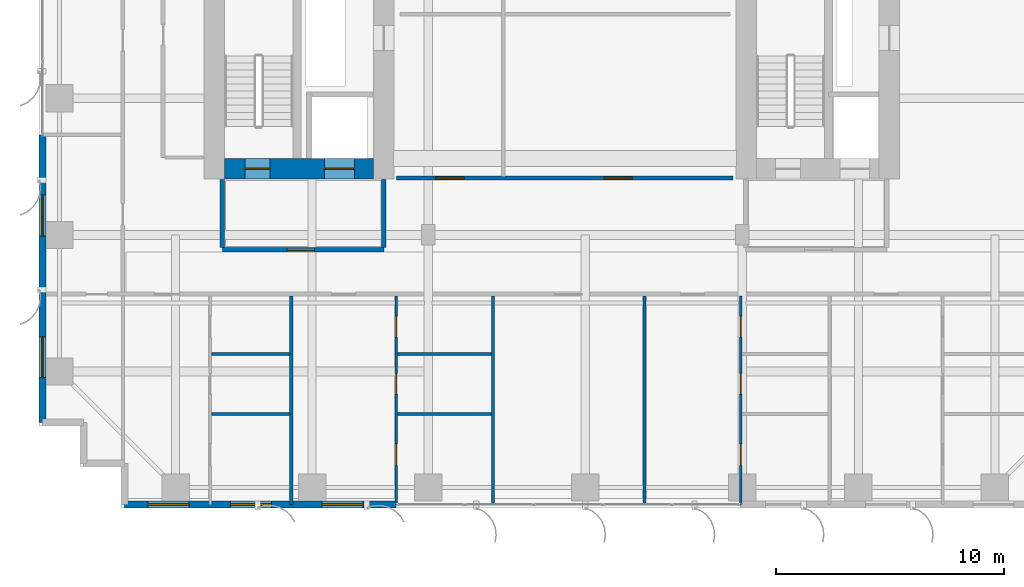
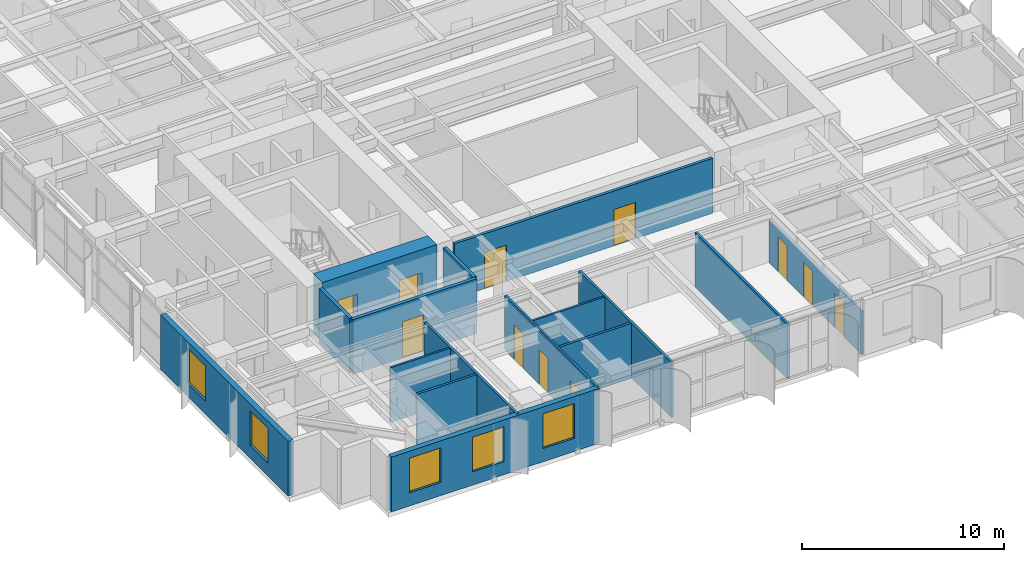
# One storey, part 15 of 23: 16 walls, 11 doors, 5 windows, 16 openings.
"""IFC4 building model written with IfcOpenShell, lengths in metres."""

from ifc_helpers import new_model, si_unit, direction, frame, frame_2d, origin, place, context, subcontext, project, spatial, rectangle, extrude, source, transform, mapped, material, layer, layer_set, type_object, element, fill, save


model = new_model("IFC4")

# Units and contexts
model_context = context("Model", 3, precision=1e-05, world=origin(), true_north=direction((0.0, 1.0)))
body_context = subcontext(model_context, "Body", "Model", "MODEL_VIEW")
ifc_project = project(units=[si_unit("LENGTHUNIT", "METRE"), si_unit("AREAUNIT", "SQUARE_METRE"), si_unit("VOLUMEUNIT", "CUBIC_METRE"), si_unit("PLANEANGLEUNIT", "RADIAN"), si_unit("MASSUNIT", "GRAM", prefix="KILO")], contexts=[model_context])

# Site, building, storey
site_placement = place(None, origin())
site = spatial("IfcSite", under=ifc_project, at=site_placement, CompositionType="ELEMENT")
building_placement = place(site_placement, origin())
building = spatial("IfcBuilding", under=site, at=building_placement, Name="Khoralis Quay Care Tower", CompositionType="ELEMENT")
storey_placement = place(building_placement, frame((0.0, 0.0, 36.89990234375)))
storey = spatial("IfcBuildingStorey", under=building, at=storey_placement, Name="L09", CompositionType="ELEMENT", Elevation=36.89990234375)

# Wall, opening, door
ifc_material_1 = material(Name="Gypsum plasterboard on acoustic metal stud")
ifc_layer_1 = layer(ifc_material_1, 0.199951171875)
ifc_layer_set_1 = layer_set([ifc_layer_1], Name="Gypsum plasterboard on acoustic metal stud")
wall_type_1 = type_object("IfcWallType", Name="WL-COMP-200", PredefinedType="PARTITIONING", material=ifc_layer_set_1)
wall_1_placement = place(storey_placement, frame((8.050048828125, 11.35009765625, 0.0), z_axis=(0.0, 0.0, 1.0), x_axis=(1.0, 0.0, 0.0)))
wall_1 = element("IfcWall", 1, at=wall_1_placement, inside=storey, type_object=wall_type_1, Name="L09 West Firefighting Lobby South Wall", PredefinedType="PARTITIONING", context=body_context, shape_type="SweptSolid", body=[
    extrude(rectangle(XDim=7.099853515625, YDim=0.199951171875, at=frame_2d((3.5498046875, 0.0))), origin(), (0.0, 0.0, 1.0), 3.320068359375),
])
opening_1_placement = place(wall_1_placement, frame((2.846435546875, 0.0, 0.0)))
opening_1 = element("IfcOpeningElement", 2, at=opening_1_placement, cuts=wall_1, Name="Opening FD1", PredefinedType="OPENING", context=body_context, shape_type="SweptSolid", body=[
    extrude(rectangle(XDim=1.199951171875, YDim=2.199951171875, at=frame_2d((0.60009765625, 1.10009765625))), frame((0.0, 0.10986328125, 0.0), z_axis=(0.0, -1.0, 0.0), x_axis=(1.0, 0.0, 0.0)), (0.0, 0.0, 1.0), 0.219970703125),
])
ifc_material_2 = material(Name="Fire-rated painted steel", Category="steel")
door_type_1 = type_object("IfcDoorType", Name="DR-FFL-1200X2200", OperationType="NOTDEFINED", PredefinedType="DOOR", material=ifc_material_2)
shared_shape_1 = source(origin(), body_context, "Body", "SweptSolid", [
    extrude(rectangle(XDim=1.199951171875, YDim=2.199951171875, at=frame_2d((0.60009765625, 1.10009765625))), frame((0.0, 0.02490234375, 0.0), z_axis=(0.0, -1.0, 0.0), x_axis=(1.0, 0.0, 0.0)), (0.0, 0.0, 1.0), 0.050048828125),
])
door_1_placement = place(opening_1_placement, origin())
door_1 = element("IfcDoor", 3, at=door_1_placement, inside=storey, type_object=door_type_1, Name="L09 West Firefighting Lobby Fire Door", OperationType="SINGLE_SWING_LEFT", OverallHeight=2.199951171875, OverallWidth=1.199951171875, PredefinedType="DOOR", context=body_context, shape_type="MappedRepresentation", body=[
    mapped(shared_shape_1, transform((0.0, 0.0, 0.0), scale=1.0)),
])
fill(opening_1, door_1)

# Walls
for number, where, z_axis, x_axis, name in (
    (4, (8.050048828125, 11.445068359375, 0.0), (0.0, 0.0, 1.0), (0.0, 1.0, 0.0), "L09 West Firefighting Lobby West Wall"),
    (5, (15.14990234375, 11.445068359375, 0.0), (0.0, 0.0, 1.0), (0.0, 1.0, 0.0), "L09 West Firefighting Lobby East Wall"),
):
    element("IfcWall", number, at=place(storey_placement, frame(where, z_axis=z_axis, x_axis=x_axis)), inside=storey, type_object=wall_type_1, Name=name, PredefinedType="PARTITIONING", context=body_context, shape_type="SweptSolid", body=[
        extrude(rectangle(XDim=2.98486328125, YDim=0.199951171875, at=frame_2d((1.492431640625, 0.0))), origin(), (0.0, 0.0, 1.0), 3.320068359375),
    ])

# Wall, openings, doors
ifc_material_3 = material(Name="Concrete C80/95", Category="concrete")
ifc_layer_2 = layer(ifc_material_3, 0.89990234375)
ifc_layer_set_2 = layer_set([ifc_layer_2], Name="Concrete C80/95")
wall_type_2 = type_object("IfcWallType", Name="WL-CORE-900", PredefinedType="SHEAR", material=ifc_layer_set_2)
wall_2_placement = place(storey_placement, frame((8.14990234375, 14.89990234375, 0.0), z_axis=(0.0, 0.0, 1.0), x_axis=(1.0, 0.0, 0.0)))
wall_2 = element("IfcWall", 6, at=wall_2_placement, inside=storey, type_object=wall_type_2, Name="L09 WCORE South Shear Wall", PredefinedType="SHEAR", context=body_context, shape_type="SweptSolid", body=[
    extrude(rectangle(XDim=6.550048828125, YDim=0.89990234375, at=frame_2d((3.27490234375, 0.0))), origin(), (0.0, 0.0, 1.0), 3.60009765625),
])
opening_2_placement = place(wall_2_placement, frame((0.89990234375, 0.0, 0.0)))
opening_2 = element("IfcOpeningElement", 7, at=opening_2_placement, cuts=wall_2, Name="Opening SD1", PredefinedType="OPENING", context=body_context, shape_type="SweptSolid", body=[
    extrude(rectangle(XDim=1.10009765625, YDim=2.199951171875, at=frame_2d((0.550048828125, 1.10009765625))), frame((0.0, 0.4599609375, 0.0), z_axis=(0.0, -1.0, 0.0), x_axis=(1.0, 0.0, 0.0)), (0.0, 0.0, 1.0), 0.919921875),
])
opening_3_placement = place(wall_2_placement, frame((4.39990234375, 0.0, 0.0)))
opening_3 = element("IfcOpeningElement", 8, at=opening_3_placement, cuts=wall_2, Name="Opening LD2", PredefinedType="OPENING", context=body_context, shape_type="SweptSolid", body=[
    extrude(rectangle(XDim=1.300048828125, YDim=2.199951171875, at=frame_2d((0.64990234375, 1.10009765625))), frame((0.0, 0.4599609375, 0.0), z_axis=(0.0, -1.0, 0.0), x_axis=(1.0, 0.0, 0.0)), (0.0, 0.0, 1.0), 0.919921875),
])
door_type_2 = type_object("IfcDoorType", Name="DR-STAIR-1100X2200", OperationType="NOTDEFINED", PredefinedType="DOOR", material=ifc_material_2)
shared_shape_2 = source(origin(), body_context, "Body", "SweptSolid", [
    extrude(rectangle(XDim=1.10009765625, YDim=2.199951171875, at=frame_2d((0.550048828125, 1.10009765625))), frame((0.0, 0.02490234375, 0.0), z_axis=(0.0, -1.0, 0.0), x_axis=(1.0, 0.0, 0.0)), (0.0, 0.0, 1.0), 0.050048828125),
])
door_2_placement = place(opening_2_placement, origin())
door_2 = element("IfcDoor", 9, at=door_2_placement, inside=storey, type_object=door_type_2, Name="L09 Stair ST-T1 Fire Door", OperationType="SINGLE_SWING_LEFT", OverallHeight=2.199951171875, OverallWidth=1.10009765625, PredefinedType="DOOR", context=body_context, shape_type="MappedRepresentation", body=[
    mapped(shared_shape_2, transform((0.0, 0.0, 0.0), scale=1.0)),
])
fill(opening_2, door_2)
ifc_material_4 = material(Name="Brushed stainless steel", Category="steel")
door_type_3 = type_object("IfcDoorType", Name="DR-LIFT-1300X2200", OperationType="SLIDING_TO_RIGHT", PredefinedType="DOOR", material=ifc_material_4)
shared_shape_3 = source(origin(), body_context, "Body", "SweptSolid", [
    extrude(rectangle(XDim=1.300048828125, YDim=2.199951171875, at=frame_2d((0.64990234375, 1.10009765625))), frame((0.0, 0.02490234375, 0.0), z_axis=(0.0, -1.0, 0.0), x_axis=(1.0, 0.0, 0.0)), (0.0, 0.0, 1.0), 0.050048828125),
])
door_3_placement = place(opening_3_placement, origin())
door_3 = element("IfcDoor", 10, at=door_3_placement, inside=storey, type_object=door_type_3, Name="L09 Firefighting Lift FFL-1 Landing Door", OperationType="SLIDING_TO_RIGHT", OverallHeight=2.199951171875, OverallWidth=1.300048828125, PredefinedType="DOOR", context=body_context, shape_type="MappedRepresentation", body=[
    mapped(shared_shape_3, transform((0.0, 0.0, 0.0), scale=1.0)),
])
fill(opening_3, door_3)

ifc_layer_3 = layer(ifc_material_1, 0.1650390625)
ifc_layer_set_3 = layer_set([ifc_layer_3], Name="Gypsum plasterboard on acoustic metal stud")
wall_type_3 = type_object("IfcWallType", Name="WL-CORR-165", PredefinedType="PARTITIONING", material=ifc_layer_set_3)
wall_3_placement = place(storey_placement, frame((15.699951171875, 14.5, 0.0), z_axis=(0.0, 0.0, 1.0), x_axis=(1.0, 0.0, 0.0)))
wall_3 = element("IfcWall", 11, at=wall_3_placement, inside=storey, type_object=wall_type_3, Name="L09 Central Clinical South Wall", PredefinedType="PARTITIONING", context=body_context, shape_type="SweptSolid", body=[
    extrude(rectangle(XDim=14.800048828125, YDim=0.1650390625, at=frame_2d((7.39990234375, 0.0))), origin(), (0.0, 0.0, 1.0), 3.320068359375),
])
opening_4_placement = place(wall_3_placement, frame((1.72509765625, 0.0, 0.0)))
opening_4 = element("IfcOpeningElement", 12, at=opening_4_placement, cuts=wall_3, Name="Opening CD1", PredefinedType="OPENING", context=body_context, shape_type="SweptSolid", body=[
    extrude(rectangle(XDim=1.25, YDim=2.199951171875, at=frame_2d((0.625, 1.10009765625))), frame((0.0, 0.092529296875, 0.0), z_axis=(0.0, -1.0, 0.0), x_axis=(1.0, 0.0, 0.0)), (0.0, 0.0, 1.0), 0.18505859375),
])
opening_5_placement = place(wall_3_placement, frame((9.125, 0.0, 0.0)))
opening_5 = element("IfcOpeningElement", 13, at=opening_5_placement, cuts=wall_3, Name="Opening CD1", PredefinedType="OPENING", context=body_context, shape_type="SweptSolid", body=[
    extrude(rectangle(XDim=1.25, YDim=2.199951171875, at=frame_2d((0.625, 1.10009765625))), frame((0.0, 0.092529296875, 0.0), z_axis=(0.0, -1.0, 0.0), x_axis=(1.0, 0.0, 0.0)), (0.0, 0.0, 1.0), 0.18505859375),
])
ifc_material_5 = material(Name="Acoustic hardwood timber", Category="wood")
door_type_4 = type_object("IfcDoorType", Name="DR-CARE-1250X2200", OperationType="NOTDEFINED", PredefinedType="DOOR", material=ifc_material_5)
shared_shape_4 = source(origin(), body_context, "Body", "SweptSolid", [
    extrude(rectangle(XDim=1.25, YDim=2.199951171875, at=frame_2d((0.625, 1.10009765625))), frame((0.0, 0.02490234375, 0.0), z_axis=(0.0, -1.0, 0.0), x_axis=(1.0, 0.0, 0.0)), (0.0, 0.0, 1.0), 0.050048828125),
])
door_4_placement = place(opening_4_placement, origin())
door_4 = element("IfcDoor", 14, at=door_4_placement, inside=storey, type_object=door_type_4, Name="L09 Nurse Station Door", OperationType="SINGLE_SWING_LEFT", OverallHeight=2.199951171875, OverallWidth=1.25, PredefinedType="DOOR", context=body_context, shape_type="MappedRepresentation", body=[
    mapped(shared_shape_4, transform((0.0, 0.0, 0.0), scale=1.0)),
])
fill(opening_4, door_4)
door_5_placement = place(opening_5_placement, origin())
door_5 = element("IfcDoor", 15, at=door_5_placement, inside=storey, type_object=door_type_4, Name="L09 Treatment Clinic Door", OperationType="SINGLE_SWING_RIGHT", OverallHeight=2.199951171875, OverallWidth=1.25, PredefinedType="DOOR", context=body_context, shape_type="MappedRepresentation", body=[
    mapped(shared_shape_4, transform((0.0, 0.0, 0.0), scale=1.0)),
])
fill(opening_5, door_5)

# Wall, openings, windows
ifc_material_6 = material(Name="Precast concrete C45/55", Category="concrete")
ifc_layer_4 = layer(ifc_material_6, 0.300048828125)
ifc_layer_set_4 = layer_set([ifc_layer_4], Name="Precast concrete C45/55")
wall_type_4 = type_object("IfcWallType", Name="WL-EXT-REF-300", PredefinedType="SOLIDWALL", material=ifc_layer_set_4)
wall_4_placement = place(storey_placement, frame((3.75, 0.14990234375, 0.0), z_axis=(0.0, 0.0, 1.0), x_axis=(1.0, 0.0, 0.0)))
wall_4 = element("IfcWall", 16, at=wall_4_placement, inside=storey, type_object=wall_type_4, Name="L09 External Facade Wall WL-EXT-L09-P1-E0A", PredefinedType="SOLIDWALL", context=body_context, shape_type="SweptSolid", body=[
    extrude(rectangle(XDim=11.93701171875, YDim=0.300048828125, at=frame_2d((5.968505859375, 0.0))), origin(), (0.0, 0.0, 1.0), 3.320068359375),
])
opening_6_placement = place(wall_4_placement, frame((1.0390625, 0.0, 0.800048828125)))
opening_6 = element("IfcOpeningElement", 17, at=opening_6_placement, cuts=wall_4, Name="Opening W2", PredefinedType="OPENING", context=body_context, shape_type="SweptSolid", body=[
    extrude(rectangle(XDim=1.800048828125, YDim=2.10009765625, at=frame_2d((0.89990234375, 1.050048828125))), frame((0.0, 0.16015625, 0.0), z_axis=(0.0, -1.0, 0.0), x_axis=(1.0, 0.0, 0.0)), (0.0, 0.0, 1.0), 0.320068359375),
])
opening_7_placement = place(wall_4_placement, frame((4.654052734375, 0.0, 0.800048828125)))
opening_7 = element("IfcOpeningElement", 18, at=opening_7_placement, cuts=wall_4, Name="Opening W2", PredefinedType="OPENING", context=body_context, shape_type="SweptSolid", body=[
    extrude(rectangle(XDim=1.800048828125, YDim=2.10009765625, at=frame_2d((0.89990234375, 1.050048828125))), frame((0.0, 0.16015625, 0.0), z_axis=(0.0, -1.0, 0.0), x_axis=(1.0, 0.0, 0.0)), (0.0, 0.0, 1.0), 0.320068359375),
])
opening_8_placement = place(wall_4_placement, frame((8.68359375, 0.0, 0.800048828125)))
opening_8 = element("IfcOpeningElement", 19, at=opening_8_placement, cuts=wall_4, Name="Opening W2", PredefinedType="OPENING", context=body_context, shape_type="SweptSolid", body=[
    extrude(rectangle(XDim=1.800048828125, YDim=2.10009765625, at=frame_2d((0.89990234375, 1.050048828125))), frame((0.0, 0.16015625, 0.0), z_axis=(0.0, -1.0, 0.0), x_axis=(1.0, 0.0, 0.0)), (0.0, 0.0, 1.0), 0.320068359375),
])
ifc_material_7 = material(Name="Low-E solar-control double glazing", Category="glass")
window_type = type_object("IfcWindowType", Name="WN-POD-1800X2100", PartitioningType="SINGLE_PANEL", PredefinedType="WINDOW", material=ifc_material_7)
shared_shape_5 = source(origin(), body_context, "Body", "SweptSolid", [
    extrude(rectangle(XDim=1.800048828125, YDim=2.10009765625, at=frame_2d((0.89990234375, 1.050048828125))), frame((0.0, 0.030029296875, 0.0), z_axis=(0.0, -1.0, 0.0), x_axis=(1.0, 0.0, 0.0)), (0.0, 0.0, 1.0), 0.06005859375),
])
window_1_placement = place(opening_6_placement, origin())
window_1 = element("IfcWindow", 20, at=window_1_placement, inside=storey, type_object=window_type, Name="WN-L09-P1-E0A Facade Window 01", OverallHeight=2.10009765625, OverallWidth=1.800048828125, PartitioningType="SINGLE_PANEL", PredefinedType="WINDOW", context=body_context, shape_type="MappedRepresentation", body=[
    mapped(shared_shape_5, transform((0.0, 0.0, 0.0), scale=1.0)),
])
fill(opening_6, window_1)
window_2_placement = place(opening_7_placement, origin())
window_2 = element("IfcWindow", 21, at=window_2_placement, inside=storey, type_object=window_type, Name="WN-L09-P1-E0A Facade Window 02", OverallHeight=2.10009765625, OverallWidth=1.800048828125, PartitioningType="SINGLE_PANEL", PredefinedType="WINDOW", context=body_context, shape_type="MappedRepresentation", body=[
    mapped(shared_shape_5, transform((0.0, 0.0, 0.0), scale=1.0)),
])
fill(opening_7, window_2)
window_3_placement = place(opening_8_placement, origin())
window_3 = element("IfcWindow", 22, at=window_3_placement, inside=storey, type_object=window_type, Name="WN-L09-P1-E0A Facade Window 03", OverallHeight=2.10009765625, OverallWidth=1.800048828125, PartitioningType="SINGLE_PANEL", PredefinedType="WINDOW", context=body_context, shape_type="MappedRepresentation", body=[
    mapped(shared_shape_5, transform((0.0, 0.0, 0.0), scale=1.0)),
])
fill(opening_8, window_3)

wall_5_placement = place(storey_placement, frame((0.14990234375, 16.39990234375, 0.0), z_axis=(0.0, 0.0, 1.0), x_axis=(0.0, -1.0, 0.0)))
wall_5 = element("IfcWall", 23, at=wall_5_placement, inside=storey, type_object=wall_type_4, Name="L09 External Facade Wall WL-EXT-L09-P1-E15B", PredefinedType="SOLIDWALL", context=body_context, shape_type="SweptSolid", body=[
    extrude(rectangle(XDim=12.64990234375, YDim=0.300048828125, at=frame_2d((6.324951171875, 0.0))), origin(), (0.0, 0.0, 1.0), 3.320068359375),
])
opening_9_placement = place(wall_5_placement, frame((2.64990234375, 0.0, 0.800048828125)))
opening_9 = element("IfcOpeningElement", 24, at=opening_9_placement, cuts=wall_5, Name="Opening W2", PredefinedType="OPENING", context=body_context, shape_type="SweptSolid", body=[
    extrude(rectangle(XDim=1.800048828125, YDim=2.10009765625, at=frame_2d((0.89990234375, 1.050048828125))), frame((0.0, 0.16015625, 0.0), z_axis=(0.0, -1.0, 0.0), x_axis=(1.0, 0.0, 0.0)), (0.0, 0.0, 1.0), 0.320068359375),
])
opening_10_placement = place(wall_5_placement, frame((8.875, 0.0, 0.800048828125)))
opening_10 = element("IfcOpeningElement", 25, at=opening_10_placement, cuts=wall_5, Name="Opening W2", PredefinedType="OPENING", context=body_context, shape_type="SweptSolid", body=[
    extrude(rectangle(XDim=1.800048828125, YDim=2.10009765625, at=frame_2d((0.89990234375, 1.050048828125))), frame((0.0, 0.16015625, 0.0), z_axis=(0.0, -1.0, 0.0), x_axis=(1.0, 0.0, 0.0)), (0.0, 0.0, 1.0), 0.320068359375),
])
window_4_placement = place(opening_9_placement, origin())
window_4 = element("IfcWindow", 26, at=window_4_placement, inside=storey, type_object=window_type, Name="WN-L09-P1-E15B Facade Window 01", OverallHeight=2.10009765625, OverallWidth=1.800048828125, PartitioningType="SINGLE_PANEL", PredefinedType="WINDOW", context=body_context, shape_type="MappedRepresentation", body=[
    mapped(shared_shape_5, transform((0.0, 0.0, 0.0), scale=1.0)),
])
fill(opening_9, window_4)
window_5_placement = place(opening_10_placement, origin())
window_5 = element("IfcWindow", 27, at=window_5_placement, inside=storey, type_object=window_type, Name="WN-L09-P1-E15B Facade Window 02", OverallHeight=2.10009765625, OverallWidth=1.800048828125, PartitioningType="SINGLE_PANEL", PredefinedType="WINDOW", context=body_context, shape_type="MappedRepresentation", body=[
    mapped(shared_shape_5, transform((0.0, 0.0, 0.0), scale=1.0)),
])
fill(opening_10, window_5)

# Wall
ifc_layer_5 = layer(ifc_material_1, 0.114990234375)
ifc_layer_set_5 = layer_set([ifc_layer_5], Name="Gypsum plasterboard on acoustic metal stud")
wall_type_5 = type_object("IfcWallType", Name="WL-PART-115", PredefinedType="PARTITIONING", material=ifc_layer_set_5)
wall_6_placement = place(storey_placement, frame((7.58056640625, 6.76806640625, 0.0), z_axis=(0.0, 0.0, 1.0), x_axis=(1.0, 0.0, 0.0)))
element("IfcWall", 28, at=wall_6_placement, inside=storey, type_object=wall_type_5, Name="L09 Unit 0 Kitchen Wall", PredefinedType="PARTITIONING", context=body_context, shape_type="SweptSolid", body=[
    extrude(rectangle(XDim=3.434326171875, YDim=0.114990234375, at=frame_2d((1.71728515625, 0.0))), origin(), (0.0, 0.0, 1.0), 3.320068359375),
])

# Wall, openings, doors
wall_7_placement = place(storey_placement, frame((15.68701171875, 0.14501953125, 0.0), z_axis=(0.0, 0.0, 1.0), x_axis=(0.0, 1.0, 0.0)))
wall_7 = element("IfcWall", 29, at=wall_7_placement, inside=storey, type_object=wall_type_5, Name="L09 Unit 1 Internal Wall", PredefinedType="PARTITIONING", context=body_context, shape_type="SweptSolid", body=[
    extrude(rectangle(XDim=9.177490234375, YDim=0.114990234375, at=frame_2d((4.5888671875, 0.0))), origin(), (0.0, 0.0, 1.0), 3.320068359375),
])
opening_11_placement = place(wall_7_placement, frame((1.722900390625, 0.0, 0.0)))
opening_11 = element("IfcOpeningElement", 30, at=opening_11_placement, cuts=wall_7, Name="Opening ID1", PredefinedType="OPENING", context=body_context, shape_type="SweptSolid", body=[
    extrude(rectangle(XDim=0.949951171875, YDim=2.10009765625, at=frame_2d((0.47509765625, 1.050048828125))), frame((0.0, 0.0673828125, 0.0), z_axis=(0.0, -1.0, 0.0), x_axis=(1.0, 0.0, 0.0)), (0.0, 0.0, 1.0), 0.135009765625),
])
opening_12_placement = place(wall_7_placement, frame((4.85693359375, 0.0, 0.0)))
opening_12 = element("IfcOpeningElement", 31, at=opening_12_placement, cuts=wall_7, Name="Opening WD1", PredefinedType="OPENING", context=body_context, shape_type="SweptSolid", body=[
    extrude(rectangle(XDim=0.89990234375, YDim=2.10009765625, at=frame_2d((0.449951171875, 1.050048828125))), frame((0.0, 0.0673828125, 0.0), z_axis=(0.0, -1.0, 0.0), x_axis=(1.0, 0.0, 0.0)), (0.0, 0.0, 1.0), 0.135009765625),
])
opening_13_placement = place(wall_7_placement, frame((7.3740234375, 0.0, 0.0)))
opening_13 = element("IfcOpeningElement", 32, at=opening_13_placement, cuts=wall_7, Name="Opening WD1", PredefinedType="OPENING", context=body_context, shape_type="SweptSolid", body=[
    extrude(rectangle(XDim=0.89990234375, YDim=2.10009765625, at=frame_2d((0.449951171875, 1.050048828125))), frame((0.0, 0.0673828125, 0.0), z_axis=(0.0, -1.0, 0.0), x_axis=(1.0, 0.0, 0.0)), (0.0, 0.0, 1.0), 0.135009765625),
])
door_type_5 = type_object("IfcDoorType", Name="DR-BATH-900X2100", OperationType="NOTDEFINED", PredefinedType="DOOR", material=ifc_material_5)
shared_shape_6 = source(origin(), body_context, "Body", "SweptSolid", [
    extrude(rectangle(XDim=0.89990234375, YDim=2.10009765625, at=frame_2d((0.449951171875, 1.050048828125))), frame((0.0, 0.02490234375, 0.0), z_axis=(0.0, -1.0, 0.0), x_axis=(1.0, 0.0, 0.0)), (0.0, 0.0, 1.0), 0.050048828125),
])
door_6_placement = place(opening_12_placement, frame((0.89990234375, 0.0, 0.0), z_axis=(0.0, 0.0, 1.0), x_axis=(-1.0, 0.0, 0.0)))
door_6 = element("IfcDoor", 33, at=door_6_placement, inside=storey, type_object=door_type_5, Name="L09 Apartment SB1 KIT Door", OperationType="SINGLE_SWING_RIGHT", OverallHeight=2.10009765625, OverallWidth=0.89990234375, PredefinedType="DOOR", context=body_context, shape_type="MappedRepresentation", body=[
    mapped(shared_shape_6, transform((0.0, 0.0, 0.0), scale=1.0)),
])
fill(opening_12, door_6)
door_7_placement = place(opening_13_placement, frame((0.89990234375, 0.0, 0.0), z_axis=(0.0, 0.0, 1.0), x_axis=(-1.0, 0.0, 0.0)))
door_7 = element("IfcDoor", 34, at=door_7_placement, inside=storey, type_object=door_type_5, Name="L09 Apartment SB1 BTH Door", OperationType="SINGLE_SWING_LEFT", OverallHeight=2.10009765625, OverallWidth=0.89990234375, PredefinedType="DOOR", context=body_context, shape_type="MappedRepresentation", body=[
    mapped(shared_shape_6, transform((0.0, 0.0, 0.0), scale=1.0)),
])
fill(opening_13, door_7)
door_type_6 = type_object("IfcDoorType", Name="DR-ROOM-950X2100", OperationType="NOTDEFINED", PredefinedType="DOOR", material=ifc_material_5)
shared_shape_7 = source(origin(), body_context, "Body", "SweptSolid", [
    extrude(rectangle(XDim=0.949951171875, YDim=2.10009765625, at=frame_2d((0.47509765625, 1.050048828125))), frame((0.0, 0.02490234375, 0.0), z_axis=(0.0, -1.0, 0.0), x_axis=(1.0, 0.0, 0.0)), (0.0, 0.0, 1.0), 0.050048828125),
])
door_8_placement = place(opening_11_placement, frame((0.949951171875, 0.0, 0.0), z_axis=(0.0, 0.0, 1.0), x_axis=(-1.0, 0.0, 0.0)))
door_8 = element("IfcDoor", 35, at=door_8_placement, inside=storey, type_object=door_type_6, Name="L09 Apartment SB1 BED Door", OperationType="SINGLE_SWING_LEFT", OverallHeight=2.10009765625, OverallWidth=0.949951171875, PredefinedType="DOOR", context=body_context, shape_type="MappedRepresentation", body=[
    mapped(shared_shape_7, transform((0.0, 0.0, 0.0), scale=1.0)),
])
fill(opening_11, door_8)

# Wall
wall_8_placement = place(storey_placement, frame((15.739501953125, 6.76806640625, 0.0), z_axis=(0.0, 0.0, 1.0), x_axis=(1.0, 0.0, 0.0)))
element("IfcWall", 36, at=wall_8_placement, inside=storey, type_object=wall_type_5, Name="L09 Unit 1 Kitchen Wall", PredefinedType="PARTITIONING", context=body_context, shape_type="SweptSolid", body=[
    extrude(rectangle(XDim=4.135498046875, YDim=0.114990234375, at=frame_2d((2.06787109375, 0.0))), origin(), (0.0, 0.0, 1.0), 3.320068359375),
])

# Wall, openings, doors
wall_9_placement = place(storey_placement, frame((30.827880859375, 0.14501953125, 0.0), z_axis=(0.0, 0.0, 1.0), x_axis=(0.0, 1.0, 0.0)))
wall_9 = element("IfcWall", 37, at=wall_9_placement, inside=storey, type_object=wall_type_5, Name="L09 Unit 3 Internal Wall", PredefinedType="PARTITIONING", context=body_context, shape_type="SweptSolid", body=[
    extrude(rectangle(XDim=9.177490234375, YDim=0.114990234375, at=frame_2d((4.5888671875, 0.0))), origin(), (0.0, 0.0, 1.0), 2.625),
])
opening_14_placement = place(wall_9_placement, frame((1.722900390625, 0.0, 0.0)))
opening_14 = element("IfcOpeningElement", 38, at=opening_14_placement, cuts=wall_9, Name="Opening ID1", PredefinedType="OPENING", context=body_context, shape_type="SweptSolid", body=[
    extrude(rectangle(XDim=0.949951171875, YDim=2.10009765625, at=frame_2d((0.47509765625, 1.050048828125))), frame((0.0, 0.0673828125, 0.0), z_axis=(0.0, -1.0, 0.0), x_axis=(1.0, 0.0, 0.0)), (0.0, 0.0, 1.0), 0.135009765625),
])
opening_15_placement = place(wall_9_placement, frame((4.85693359375, 0.0, 0.0)))
opening_15 = element("IfcOpeningElement", 39, at=opening_15_placement, cuts=wall_9, Name="Opening WD1", PredefinedType="OPENING", context=body_context, shape_type="SweptSolid", body=[
    extrude(rectangle(XDim=0.89990234375, YDim=2.10009765625, at=frame_2d((0.449951171875, 1.050048828125))), frame((0.0, 0.0673828125, 0.0), z_axis=(0.0, -1.0, 0.0), x_axis=(1.0, 0.0, 0.0)), (0.0, 0.0, 1.0), 0.135009765625),
])
opening_16_placement = place(wall_9_placement, frame((7.3740234375, 0.0, 0.0)))
opening_16 = element("IfcOpeningElement", 40, at=opening_16_placement, cuts=wall_9, Name="Opening WD1", PredefinedType="OPENING", context=body_context, shape_type="SweptSolid", body=[
    extrude(rectangle(XDim=0.89990234375, YDim=2.10009765625, at=frame_2d((0.449951171875, 1.050048828125))), frame((0.0, 0.0673828125, 0.0), z_axis=(0.0, -1.0, 0.0), x_axis=(1.0, 0.0, 0.0)), (0.0, 0.0, 1.0), 0.135009765625),
])
door_9_placement = place(opening_15_placement, frame((0.89990234375, 0.0, 0.0), z_axis=(0.0, 0.0, 1.0), x_axis=(-1.0, 0.0, 0.0)))
door_9 = element("IfcDoor", 41, at=door_9_placement, inside=storey, type_object=door_type_5, Name="L09 Apartment SB3 KIT Door", OperationType="SINGLE_SWING_RIGHT", OverallHeight=2.10009765625, OverallWidth=0.89990234375, PredefinedType="DOOR", context=body_context, shape_type="MappedRepresentation", body=[
    mapped(shared_shape_6, transform((0.0, 0.0, 0.0), scale=1.0)),
])
fill(opening_15, door_9)
door_10_placement = place(opening_16_placement, frame((0.89990234375, 0.0, 0.0), z_axis=(0.0, 0.0, 1.0), x_axis=(-1.0, 0.0, 0.0)))
door_10 = element("IfcDoor", 42, at=door_10_placement, inside=storey, type_object=door_type_5, Name="L09 Apartment SB3 BTH Door", OperationType="SINGLE_SWING_LEFT", OverallHeight=2.10009765625, OverallWidth=0.89990234375, PredefinedType="DOOR", context=body_context, shape_type="MappedRepresentation", body=[
    mapped(shared_shape_6, transform((0.0, 0.0, 0.0), scale=1.0)),
])
fill(opening_16, door_10)
door_11_placement = place(opening_14_placement, frame((0.949951171875, 0.0, 0.0), z_axis=(0.0, 0.0, 1.0), x_axis=(-1.0, 0.0, 0.0)))
door_11 = element("IfcDoor", 43, at=door_11_placement, inside=storey, type_object=door_type_6, Name="L09 Apartment SB3 BED Door", OperationType="SINGLE_SWING_LEFT", OverallHeight=2.10009765625, OverallWidth=0.949951171875, PredefinedType="DOOR", context=body_context, shape_type="MappedRepresentation", body=[
    mapped(shared_shape_7, transform((0.0, 0.0, 0.0), scale=1.0)),
])
fill(opening_14, door_11)

# Walls
ifc_material_8 = material(Name="Moisture-resistant gypsum and ceramic tile")
ifc_layer_6 = layer(ifc_material_8, 0.280029296875)
ifc_layer_set_6 = layer_set([ifc_layer_6], Name="Moisture-resistant gypsum and ceramic tile")
wall_type_6 = type_object("IfcWallType", Name="WL-PLUMB-280", PredefinedType="PLUMBINGWALL", material=ifc_layer_set_6)
wall_10_placement = place(storey_placement, frame((7.58056640625, 4.135986328125, 0.0), z_axis=(0.0, 0.0, 1.0), x_axis=(1.0, 0.0, 0.0)))
element("IfcWall", 44, at=wall_10_placement, inside=storey, type_object=wall_type_6, Name="L09 Unit 0 Wet Wall", PredefinedType="PLUMBINGWALL", context=body_context, shape_type="SweptSolid", body=[
    extrude(rectangle(XDim=3.434326171875, YDim=0.139892578125, at=frame_2d((1.71728515625, 0.0))), origin(), (0.0, 0.0, 1.0), 3.320068359375),
])
wall_11_placement = place(storey_placement, frame((15.739501953125, 4.135986328125, 0.0), z_axis=(0.0, 0.0, 1.0), x_axis=(1.0, 0.0, 0.0)))
element("IfcWall", 45, at=wall_11_placement, inside=storey, type_object=wall_type_6, Name="L09 Unit 1 Wet Wall", PredefinedType="PLUMBINGWALL", context=body_context, shape_type="SweptSolid", body=[
    extrude(rectangle(XDim=4.135498046875, YDim=0.139892578125, at=frame_2d((2.06787109375, 0.0))), origin(), (0.0, 0.0, 1.0), 3.320068359375),
])
ifc_layer_7 = layer(ifc_material_1, 0.139892578125)
ifc_layer_set_7 = layer_set([ifc_layer_7], Name="Gypsum plasterboard on acoustic metal stud")
wall_type_7 = type_object("IfcWallType", Name="WL-UNIT-140", PredefinedType="PARTITIONING", material=ifc_layer_set_7)
for number, where, z_axis, x_axis, name in (
    (46, (11.080078125, 0.14501953125, 0.0), (0.0, 0.0, 1.0), (0.0, 1.0, 0.0), "L09 SB Demising Wall 1"),
    (47, (19.93994140625, 0.14501953125, 0.0), (0.0, 0.0, 1.0), (0.0, 1.0, 0.0), "L09 SB Demising Wall 2"),
    (48, (26.60009765625, 0.14501953125, 0.0), (0.0, 0.0, 1.0), (0.0, 1.0, 0.0), "L09 SB Demising Wall 3"),
):
    element("IfcWall", number, at=place(storey_placement, frame(where, z_axis=z_axis, x_axis=x_axis)), inside=storey, type_object=wall_type_7, Name=name, PredefinedType="PARTITIONING", context=body_context, shape_type="SweptSolid", body=[
        extrude(rectangle(XDim=9.177490234375, YDim=0.139892578125, at=frame_2d((4.5888671875, 0.0))), origin(), (0.0, 0.0, 1.0), 3.320068359375),
    ])

save(model, "model.ifc")
